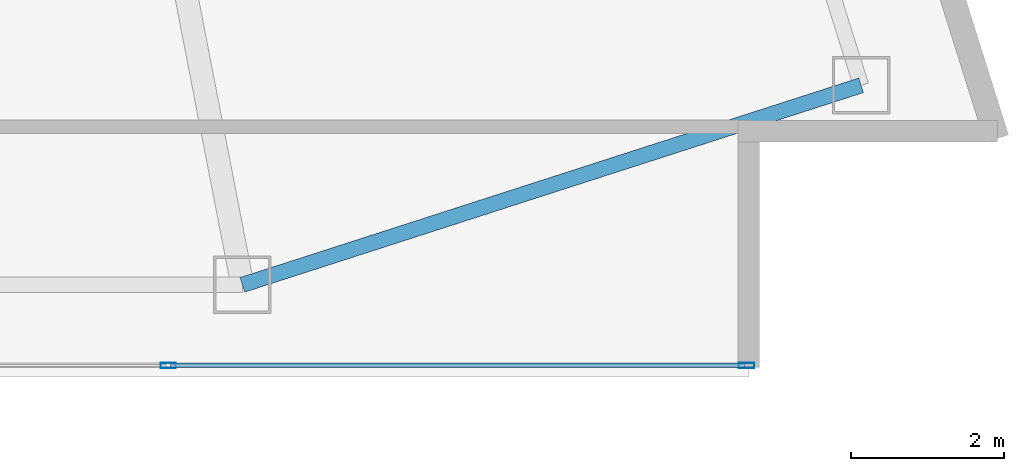
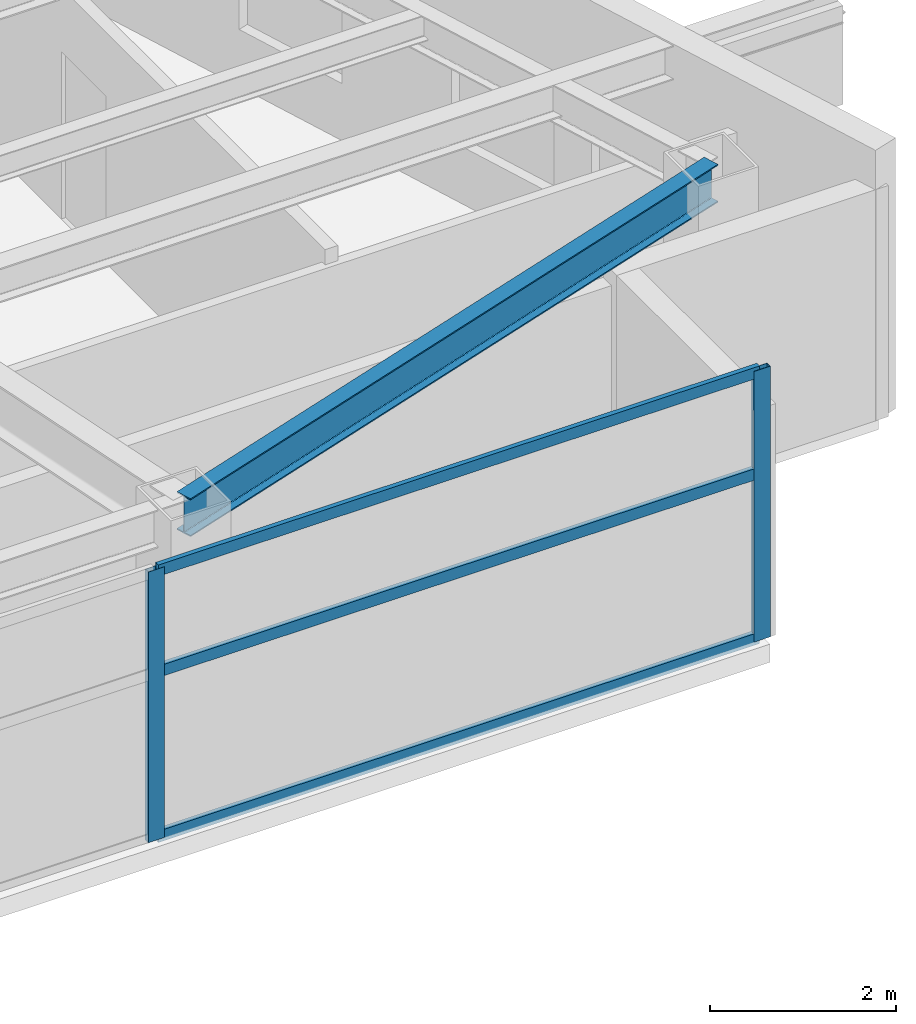
# One storey, part 14 of 28: 5 members, 1 beam, 1 element without a shape of its own.
"""IFC4 building model written with IfcOpenShell, lengths in metres."""

from ifc_helpers import new_model, si_unit, direction, frame, origin, origin_2d, place, context, subcontext, project, spatial, hollow_rectangle, i_section, extrude, material, layer, layer_set, material_profile, profile_set, type_object, element, aggregate, save


model = new_model("IFC4")

# Units and contexts
model_context = context("Model", 3, precision=1e-05, world=origin(), true_north=direction((0.0, 1.0)))
body_context = subcontext(model_context, "Body", "Model", "MODEL_VIEW")
ifc_project = project(units=[si_unit("LENGTHUNIT", "METRE"), si_unit("AREAUNIT", "SQUARE_METRE"), si_unit("VOLUMEUNIT", "CUBIC_METRE"), si_unit("PLANEANGLEUNIT", "RADIAN"), si_unit("MASSUNIT", "GRAM", prefix="KILO")], contexts=[model_context])

# Site, building, storey
site_placement = place(None, origin())
site = spatial("IfcSite", under=ifc_project, at=site_placement, CompositionType="ELEMENT")
building_placement = place(site_placement, origin())
building = spatial("IfcBuilding", under=site, at=building_placement, Name="Calvorn Quay Hotel", CompositionType="ELEMENT")
storey_placement = place(building_placement, frame((0.0, 0.0, 116.39990234375)))
storey = spatial("IfcBuildingStorey", under=building, at=storey_placement, Name="L28", CompositionType="ELEMENT", Elevation=116.39990234375)

# Beam
ifc_material_1 = material(Name="Steel Q355B", Category="steel")
ifc_material_profile_1 = material_profile(ifc_material_1, i_section(OverallWidth=0.199951171875, OverallDepth=0.5, WebThickness=0.010009765625, FlangeThickness=0.01611328125, FilletRadius=0.01611328125, at=origin_2d()), Name="HN500x200x10x16")
ifc_profile_set_1 = profile_set([ifc_material_profile_1], Name="Steel Q355B")
beam_type = type_object("IfcBeamType", Name="BM-SPANDREL-Z1", PredefinedType="SPANDREL", material=ifc_profile_set_1)
beam_placement = place(storey_placement, frame((49.39990234375, 3.60009765625, 3.2900390625), z_axis=(0.951725188386, 0.306951406237, 0.0), x_axis=(-0.306951406237, 0.951725188386, 0.0)))
element("IfcBeam", 1, at=beam_placement, inside=storey, type_object=beam_type, Name="Beam BSP-L28-S6", PredefinedType="SPANDREL", context=body_context, shape_type="SweptSolid", body=[
    extrude(i_section(OverallWidth=0.199951171875, OverallDepth=0.5, WebThickness=0.010009765625, FlangeThickness=0.01611328125, FilletRadius=0.01611328125, at=origin_2d()), origin(), (0.0, 0.0, 1.0), 8.469970703125),
])

# Curtain wall, members
ifc_material_2 = material(Name="Pale Anodised Aluminium and Low-E Glass", Category="aluminium")
ifc_layer = layer(ifc_material_2, 0.219970703125)
ifc_layer_set = layer_set([ifc_layer], Name="CW-SYS-Z2")
curtain_wall_type = type_object("IfcCurtainWallType", Name="CW-SYS-Z2", PredefinedType="NOTDEFINED", material=ifc_layer_set)
curtain_wall_placement = place(storey_placement, origin())
curtain_wall = element("IfcCurtainWall", 2, at=curtain_wall_placement, inside=storey, type_object=curtain_wall_type, Name="Tower South Waterfront Curtain Wall (L28)", PredefinedType="NOTDEFINED")
ifc_material_3 = material(Name="Pale Anodised Aluminium 6063-T6", Category="aluminium")
ifc_material_profile_2 = material_profile(ifc_material_3, hollow_rectangle(XDim=0.070068359375, YDim=0.199951171875, WallThickness=0.00390625, at=origin_2d()), Name="ALU-M200x70x4")
ifc_profile_set_2 = profile_set([ifc_material_profile_2], Name="Pale Anodised Aluminium 6063-T6")
member_type_1 = type_object("IfcMemberType", Name="CW-SYS-Z2-MUL", PredefinedType="MULLION", material=ifc_profile_set_2)
member_1_placement = place(storey_placement, frame((48.433349609375, 2.550048828125, 0.0), z_axis=(0.0, 0.0, 1.0), x_axis=(0.0, 1.0, 0.0)))
member_1 = element("IfcMember", 3, at=member_1_placement, type_object=member_type_1, Name="CW-L28-S mullion 6", PredefinedType="MULLION", context=body_context, shape_type="SweptSolid", body=[
    extrude(hollow_rectangle(XDim=0.070068359375, YDim=0.199951171875, WallThickness=0.00390625, at=origin_2d()), origin(), (0.0, 0.0, 1.0), 3.56005859375),
])
member_2_placement = place(storey_placement, frame((55.969970703125, 2.550048828125, 0.0), z_axis=(0.0, 0.0, 1.0), x_axis=(0.0, 1.0, 0.0)))
member_2 = element("IfcMember", 4, at=member_2_placement, type_object=member_type_1, Name="CW-L28-S mullion 7", PredefinedType="MULLION", context=body_context, shape_type="SweptSolid", body=[
    extrude(hollow_rectangle(XDim=0.070068359375, YDim=0.199951171875, WallThickness=0.00390625, at=origin_2d()), origin(), (0.0, 0.0, 1.0), 3.56005859375),
])
ifc_material_4 = material(Name="Pale Anodised Aluminium 6063-T6", Category="aluminium")
ifc_material_profile_3 = material_profile(ifc_material_4, hollow_rectangle(XDim=0.06005859375, YDim=0.14990234375, WallThickness=0.00341796875, at=origin_2d()), Name="ALU-T150x60x3.5")
ifc_profile_set_3 = profile_set([ifc_material_profile_3], Name="Pale Anodised Aluminium 6063-T6")
member_type_2 = type_object("IfcMemberType", Name="CW-SYS-Z2-TRN", PredefinedType="USERDEFINED", material=ifc_profile_set_3)
member_3_placement = place(storey_placement, frame((48.46337890625, 2.550048828125, 0.030029296875), z_axis=(1.0, 0.0, 0.0), x_axis=(0.0, 1.0, 0.0)))
member_3 = element("IfcMember", 5, at=member_3_placement, type_object=member_type_2, Name="CW-L28-S transom 6.1", ObjectType="TRANSOM", PredefinedType="USERDEFINED", context=body_context, shape_type="SweptSolid", body=[
    extrude(hollow_rectangle(XDim=0.06005859375, YDim=0.14990234375, WallThickness=0.00341796875, at=origin_2d()), origin(), (0.0, 0.0, 1.0), 7.4765625),
])
member_4_placement = place(storey_placement, frame((48.46337890625, 2.550048828125, 2.2001953125), z_axis=(1.0, 0.0, 0.0), x_axis=(0.0, 1.0, 0.0)))
member_4 = element("IfcMember", 6, at=member_4_placement, type_object=member_type_2, Name="CW-L28-S transom 6.2", ObjectType="TRANSOM", PredefinedType="USERDEFINED", context=body_context, shape_type="SweptSolid", body=[
    extrude(hollow_rectangle(XDim=0.06005859375, YDim=0.14990234375, WallThickness=0.00341796875, at=origin_2d()), origin(), (0.0, 0.0, 1.0), 7.4765625),
])
member_5_placement = place(storey_placement, frame((48.46337890625, 2.550048828125, 3.530029296875), z_axis=(1.0, 0.0, 0.0), x_axis=(0.0, 1.0, 0.0)))
member_5 = element("IfcMember", 7, at=member_5_placement, type_object=member_type_2, Name="CW-L28-S transom 6.3", ObjectType="TRANSOM", PredefinedType="USERDEFINED", context=body_context, shape_type="SweptSolid", body=[
    extrude(hollow_rectangle(XDim=0.06005859375, YDim=0.14990234375, WallThickness=0.00341796875, at=origin_2d()), origin(), (0.0, 0.0, 1.0), 7.4765625),
])
aggregate(curtain_wall, [member_1, member_2, member_3, member_4, member_5])

save(model, "model.ifc")
